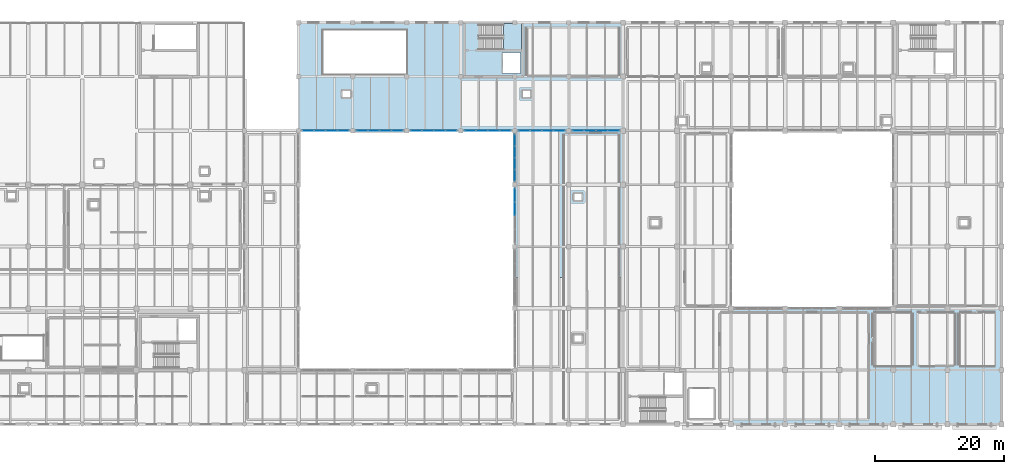
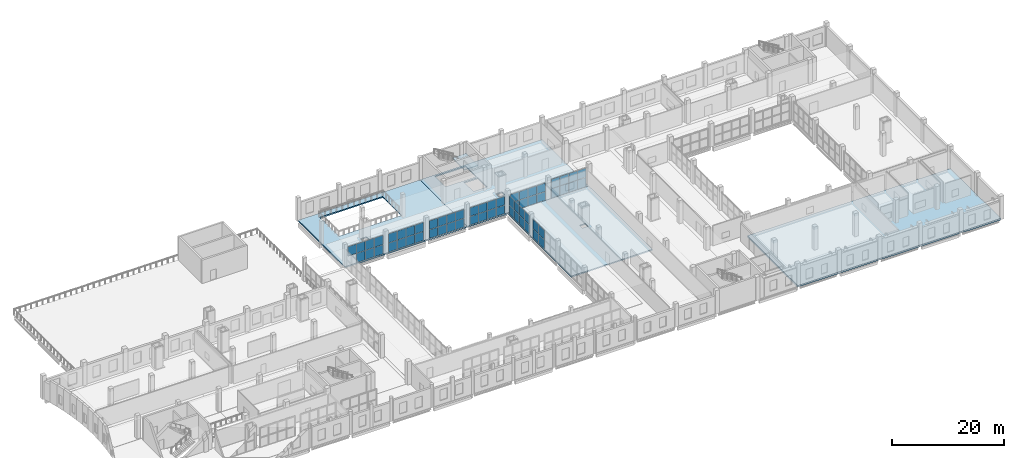
# One storey, part 51 of 73: 59 plates, 5 slabs, 9 elements without a shape of their own.
"""IFC4 building model written with IfcOpenShell, lengths in metres."""

from ifc_helpers import new_model, si_unit, direction, frame, origin, origin_2d, place, context, subcontext, project, spatial, polyline, rectangle, outline, extrude, material, layer, layer_set, type_object, element, aggregate, save


model = new_model("IFC4")

# Units and contexts
model_context = context("Model", 3, precision=1e-05, world=origin(), true_north=direction((0.0, 1.0)))
body_context = subcontext(model_context, "Body", "Model", "MODEL_VIEW")
ifc_project = project(units=[si_unit("LENGTHUNIT", "METRE"), si_unit("AREAUNIT", "SQUARE_METRE"), si_unit("VOLUMEUNIT", "CUBIC_METRE"), si_unit("PLANEANGLEUNIT", "RADIAN"), si_unit("MASSUNIT", "GRAM", prefix="KILO")], contexts=[model_context])

# Site, building, storey
site_placement = place(None, origin())
site = spatial("IfcSite", under=ifc_project, at=site_placement, CompositionType="ELEMENT")
building_placement = place(site_placement, origin())
building = spatial("IfcBuilding", under=site, at=building_placement, Name="Zulmaris Art Gallery", CompositionType="ELEMENT")
storey_placement = place(building_placement, frame((0.0, 0.0, 10.5)))
storey = spatial("IfcBuildingStorey", under=building, at=storey_placement, Name="L02", CompositionType="ELEMENT", Elevation=10.5)

# Curtain wall, plates
ifc_material_1 = material(Name="Unitised Low-E Gallery Curtain Wall", Category="aluminium")
ifc_layer_1 = layer(ifc_material_1, 0.179931640625)
ifc_layer_set_1 = layer_set([ifc_layer_1], Name="Unitised Low-E Gallery Curtain Wall")
curtain_wall_type = type_object("IfcCurtainWallType", Name="CW-CW01", PredefinedType="NOTDEFINED", material=ifc_layer_set_1)
curtain_wall_1_placement = place(storey_placement, origin())
curtain_wall_1 = element("IfcCurtainWall", 1, at=curtain_wall_1_placement, inside=storey, type_object=curtain_wall_type, Name="L02 curtain wall 104", PredefinedType="NOTDEFINED")
ifc_material_2 = material(Name="Triple Solar-Control Laminated Glass", Category="glass")
ifc_layer_2 = layer(ifc_material_2, 0.035888671875)
ifc_layer_set_2 = layer_set([ifc_layer_2], Name="Triple Solar-Control Laminated Glass")
plate_type = type_object("IfcPlateType", Name="CWPAN-GLZ", PredefinedType="CURTAIN_PANEL", material=ifc_layer_set_2)
plate_1_placement = place(storey_placement, frame((92.673828125, 58.800048828125, 2.142578125), z_axis=(0.0, 0.0, 1.0), x_axis=(1.0, 0.0, 0.0)))
plate_1 = element("IfcPlate", 2, at=plate_1_placement, type_object=plate_type, Name="CW01 panel 1.2", PredefinedType="CURTAIN_PANEL", context=body_context, shape_type="SweptSolid", body=[
    extrude(rectangle(XDim=1.717529296875, YDim=0.031982421875, at=origin_2d()), origin(), (0.0, 0.0, 1.0), 1.992431640625),
])
plate_2_placement = place(storey_placement, frame((94.485107421875, 58.800048828125, 0.0751953125), z_axis=(0.0, 0.0, 1.0), x_axis=(1.0, 0.0, 0.0)))
plate_2 = element("IfcPlate", 3, at=plate_2_placement, type_object=plate_type, Name="CW01 panel 2.1", PredefinedType="CURTAIN_PANEL", context=body_context, shape_type="SweptSolid", body=[
    extrude(rectangle(XDim=1.7548828125, YDim=0.031982421875, at=origin_2d()), origin(), (0.0, 0.0, 1.0), 1.992431640625),
])
plate_3_placement = place(storey_placement, frame((94.485107421875, 58.800048828125, 2.142578125), z_axis=(0.0, 0.0, 1.0), x_axis=(1.0, 0.0, 0.0)))
plate_3 = element("IfcPlate", 4, at=plate_3_placement, type_object=plate_type, Name="CW01 panel 2.2", PredefinedType="CURTAIN_PANEL", context=body_context, shape_type="SweptSolid", body=[
    extrude(rectangle(XDim=1.7548828125, YDim=0.031982421875, at=origin_2d()), origin(), (0.0, 0.0, 1.0), 1.992431640625),
])
plate_4_placement = place(storey_placement, frame((96.31494140625, 58.800048828125, 0.0751953125), z_axis=(0.0, 0.0, 1.0), x_axis=(1.0, 0.0, 0.0)))
plate_4 = element("IfcPlate", 5, at=plate_4_placement, type_object=plate_type, Name="CW01 panel 3.1", PredefinedType="CURTAIN_PANEL", context=body_context, shape_type="SweptSolid", body=[
    extrude(rectangle(XDim=1.7548828125, YDim=0.031982421875, at=origin_2d()), origin(), (0.0, 0.0, 1.0), 1.992431640625),
])
plate_5_placement = place(storey_placement, frame((96.31494140625, 58.800048828125, 2.142578125), z_axis=(0.0, 0.0, 1.0), x_axis=(1.0, 0.0, 0.0)))
plate_5 = element("IfcPlate", 6, at=plate_5_placement, type_object=plate_type, Name="CW01 panel 3.2", PredefinedType="CURTAIN_PANEL", context=body_context, shape_type="SweptSolid", body=[
    extrude(rectangle(XDim=1.7548828125, YDim=0.031982421875, at=origin_2d()), origin(), (0.0, 0.0, 1.0), 1.992431640625),
])
plate_6_placement = place(storey_placement, frame((98.126220703125, 58.800048828125, 0.0751953125), z_axis=(0.0, 0.0, 1.0), x_axis=(1.0, 0.0, 0.0)))
plate_6 = element("IfcPlate", 7, at=plate_6_placement, type_object=plate_type, Name="CW01 panel 4.1", PredefinedType="CURTAIN_PANEL", context=body_context, shape_type="SweptSolid", body=[
    extrude(rectangle(XDim=1.717529296875, YDim=0.031982421875, at=origin_2d()), origin(), (0.0, 0.0, 1.0), 1.992431640625),
])
plate_7_placement = place(storey_placement, frame((98.126220703125, 58.800048828125, 2.142578125), z_axis=(0.0, 0.0, 1.0), x_axis=(1.0, 0.0, 0.0)))
plate_7 = element("IfcPlate", 8, at=plate_7_placement, type_object=plate_type, Name="CW01 panel 4.2", PredefinedType="CURTAIN_PANEL", context=body_context, shape_type="SweptSolid", body=[
    extrude(rectangle(XDim=1.717529296875, YDim=0.031982421875, at=origin_2d()), origin(), (0.0, 0.0, 1.0), 1.992431640625),
])
aggregate(curtain_wall_1, [plate_1, plate_2, plate_3, plate_4, plate_5, plate_6, plate_7])

curtain_wall_2_placement = place(storey_placement, origin())
curtain_wall_2 = element("IfcCurtainWall", 9, at=curtain_wall_2_placement, inside=storey, type_object=curtain_wall_type, Name="L02 curtain wall 105", PredefinedType="NOTDEFINED")
plate_8_placement = place(storey_placement, frame((101.07373046875, 58.800048828125, 0.074951171875), z_axis=(0.0, 0.0, 1.0), x_axis=(1.0, 0.0, 0.0)))
plate_8 = element("IfcPlate", 10, at=plate_8_placement, type_object=plate_type, Name="CW01 panel 1.1", PredefinedType="CURTAIN_PANEL", context=body_context, shape_type="SweptSolid", body=[
    extrude(rectangle(XDim=1.717529296875, YDim=0.031982421875, at=origin_2d()), origin(), (0.0, 0.0, 1.0), 1.9375),
])
plate_9_placement = place(storey_placement, frame((101.07373046875, 58.800048828125, 2.08740234375), z_axis=(0.0, 0.0, 1.0), x_axis=(1.0, 0.0, 0.0)))
plate_9 = element("IfcPlate", 11, at=plate_9_placement, type_object=plate_type, Name="CW01 panel 1.2", PredefinedType="CURTAIN_PANEL", context=body_context, shape_type="SweptSolid", body=[
    extrude(rectangle(XDim=1.717529296875, YDim=0.031982421875, at=origin_2d()), origin(), (0.0, 0.0, 1.0), 1.9375),
])
plate_10_placement = place(storey_placement, frame((102.885009765625, 58.800048828125, 0.074951171875), z_axis=(0.0, 0.0, 1.0), x_axis=(1.0, 0.0, 0.0)))
plate_10 = element("IfcPlate", 12, at=plate_10_placement, type_object=plate_type, Name="CW01 panel 2.1", PredefinedType="CURTAIN_PANEL", context=body_context, shape_type="SweptSolid", body=[
    extrude(rectangle(XDim=1.7548828125, YDim=0.031982421875, at=origin_2d()), origin(), (0.0, 0.0, 1.0), 1.9375),
])
plate_11_placement = place(storey_placement, frame((102.885009765625, 58.800048828125, 2.08740234375), z_axis=(0.0, 0.0, 1.0), x_axis=(1.0, 0.0, 0.0)))
plate_11 = element("IfcPlate", 13, at=plate_11_placement, type_object=plate_type, Name="CW01 panel 2.2", PredefinedType="CURTAIN_PANEL", context=body_context, shape_type="SweptSolid", body=[
    extrude(rectangle(XDim=1.7548828125, YDim=0.031982421875, at=origin_2d()), origin(), (0.0, 0.0, 1.0), 1.9375),
])
plate_12_placement = place(storey_placement, frame((104.715087890625, 58.800048828125, 0.074951171875), z_axis=(0.0, 0.0, 1.0), x_axis=(1.0, 0.0, 0.0)))
plate_12 = element("IfcPlate", 14, at=plate_12_placement, type_object=plate_type, Name="CW01 panel 3.1", PredefinedType="CURTAIN_PANEL", context=body_context, shape_type="SweptSolid", body=[
    extrude(rectangle(XDim=1.7548828125, YDim=0.031982421875, at=origin_2d()), origin(), (0.0, 0.0, 1.0), 1.9375),
])
plate_13_placement = place(storey_placement, frame((104.715087890625, 58.800048828125, 2.08740234375), z_axis=(0.0, 0.0, 1.0), x_axis=(1.0, 0.0, 0.0)))
plate_13 = element("IfcPlate", 15, at=plate_13_placement, type_object=plate_type, Name="CW01 panel 3.2", PredefinedType="CURTAIN_PANEL", context=body_context, shape_type="SweptSolid", body=[
    extrude(rectangle(XDim=1.7548828125, YDim=0.031982421875, at=origin_2d()), origin(), (0.0, 0.0, 1.0), 1.9375),
])
plate_14_placement = place(storey_placement, frame((106.5263671875, 58.800048828125, 0.074951171875), z_axis=(0.0, 0.0, 1.0), x_axis=(1.0, 0.0, 0.0)))
plate_14 = element("IfcPlate", 16, at=plate_14_placement, type_object=plate_type, Name="CW01 panel 4.1", PredefinedType="CURTAIN_PANEL", context=body_context, shape_type="SweptSolid", body=[
    extrude(rectangle(XDim=1.717529296875, YDim=0.031982421875, at=origin_2d()), origin(), (0.0, 0.0, 1.0), 1.9375),
])
plate_15_placement = place(storey_placement, frame((106.5263671875, 58.800048828125, 2.08740234375), z_axis=(0.0, 0.0, 1.0), x_axis=(1.0, 0.0, 0.0)))
plate_15 = element("IfcPlate", 17, at=plate_15_placement, type_object=plate_type, Name="CW01 panel 4.2", PredefinedType="CURTAIN_PANEL", context=body_context, shape_type="SweptSolid", body=[
    extrude(rectangle(XDim=1.717529296875, YDim=0.031982421875, at=origin_2d()), origin(), (0.0, 0.0, 1.0), 1.9375),
])
aggregate(curtain_wall_2, [plate_8, plate_9, plate_10, plate_11, plate_12, plate_13, plate_14, plate_15])

curtain_wall_3_placement = place(storey_placement, origin())
curtain_wall_3 = element("IfcCurtainWall", 18, at=curtain_wall_3_placement, inside=storey, type_object=curtain_wall_type, Name="L02 curtain wall 106", PredefinedType="NOTDEFINED")
plate_16_placement = place(storey_placement, frame((109.4736328125, 58.800048828125, 0.0751953125), z_axis=(0.0, 0.0, 1.0), x_axis=(1.0, 0.0, 0.0)))
plate_16 = element("IfcPlate", 19, at=plate_16_placement, type_object=plate_type, Name="CW01 panel 1.1", PredefinedType="CURTAIN_PANEL", context=body_context, shape_type="SweptSolid", body=[
    extrude(rectangle(XDim=1.717529296875, YDim=0.031982421875, at=origin_2d()), origin(), (0.0, 0.0, 1.0), 1.887451171875),
])
plate_17_placement = place(storey_placement, frame((109.4736328125, 58.800048828125, 2.03759765625), z_axis=(0.0, 0.0, 1.0), x_axis=(1.0, 0.0, 0.0)))
plate_17 = element("IfcPlate", 20, at=plate_17_placement, type_object=plate_type, Name="CW01 panel 1.2", PredefinedType="CURTAIN_PANEL", context=body_context, shape_type="SweptSolid", body=[
    extrude(rectangle(XDim=1.717529296875, YDim=0.031982421875, at=origin_2d()), origin(), (0.0, 0.0, 1.0), 1.887451171875),
])
plate_18_placement = place(storey_placement, frame((111.284912109375, 58.800048828125, 0.0751953125), z_axis=(0.0, 0.0, 1.0), x_axis=(1.0, 0.0, 0.0)))
plate_18 = element("IfcPlate", 21, at=plate_18_placement, type_object=plate_type, Name="CW01 panel 2.1", PredefinedType="CURTAIN_PANEL", context=body_context, shape_type="SweptSolid", body=[
    extrude(rectangle(XDim=1.7548828125, YDim=0.031982421875, at=origin_2d()), origin(), (0.0, 0.0, 1.0), 1.887451171875),
])
plate_19_placement = place(storey_placement, frame((111.284912109375, 58.800048828125, 2.03759765625), z_axis=(0.0, 0.0, 1.0), x_axis=(1.0, 0.0, 0.0)))
plate_19 = element("IfcPlate", 22, at=plate_19_placement, type_object=plate_type, Name="CW01 panel 2.2", PredefinedType="CURTAIN_PANEL", context=body_context, shape_type="SweptSolid", body=[
    extrude(rectangle(XDim=1.7548828125, YDim=0.031982421875, at=origin_2d()), origin(), (0.0, 0.0, 1.0), 1.887451171875),
])
plate_20_placement = place(storey_placement, frame((113.114990234375, 58.800048828125, 0.0751953125), z_axis=(0.0, 0.0, 1.0), x_axis=(1.0, 0.0, 0.0)))
plate_20 = element("IfcPlate", 23, at=plate_20_placement, type_object=plate_type, Name="CW01 panel 3.1", PredefinedType="CURTAIN_PANEL", context=body_context, shape_type="SweptSolid", body=[
    extrude(rectangle(XDim=1.7548828125, YDim=0.031982421875, at=origin_2d()), origin(), (0.0, 0.0, 1.0), 1.887451171875),
])
plate_21_placement = place(storey_placement, frame((113.114990234375, 58.800048828125, 2.03759765625), z_axis=(0.0, 0.0, 1.0), x_axis=(1.0, 0.0, 0.0)))
plate_21 = element("IfcPlate", 24, at=plate_21_placement, type_object=plate_type, Name="CW01 panel 3.2", PredefinedType="CURTAIN_PANEL", context=body_context, shape_type="SweptSolid", body=[
    extrude(rectangle(XDim=1.7548828125, YDim=0.031982421875, at=origin_2d()), origin(), (0.0, 0.0, 1.0), 1.887451171875),
])
plate_22_placement = place(storey_placement, frame((114.92626953125, 58.800048828125, 0.0751953125), z_axis=(0.0, 0.0, 1.0), x_axis=(1.0, 0.0, 0.0)))
plate_22 = element("IfcPlate", 25, at=plate_22_placement, type_object=plate_type, Name="CW01 panel 4.1", PredefinedType="CURTAIN_PANEL", context=body_context, shape_type="SweptSolid", body=[
    extrude(rectangle(XDim=1.717529296875, YDim=0.031982421875, at=origin_2d()), origin(), (0.0, 0.0, 1.0), 1.887451171875),
])
plate_23_placement = place(storey_placement, frame((114.92626953125, 58.800048828125, 2.03759765625), z_axis=(0.0, 0.0, 1.0), x_axis=(1.0, 0.0, 0.0)))
plate_23 = element("IfcPlate", 26, at=plate_23_placement, type_object=plate_type, Name="CW01 panel 4.2", PredefinedType="CURTAIN_PANEL", context=body_context, shape_type="SweptSolid", body=[
    extrude(rectangle(XDim=1.717529296875, YDim=0.031982421875, at=origin_2d()), origin(), (0.0, 0.0, 1.0), 1.887451171875),
])
aggregate(curtain_wall_3, [plate_16, plate_17, plate_18, plate_19, plate_20, plate_21, plate_22, plate_23])

curtain_wall_4_placement = place(storey_placement, origin())
curtain_wall_4 = element("IfcCurtainWall", 27, at=curtain_wall_4_placement, inside=storey, type_object=curtain_wall_type, Name="L02 curtain wall 107", PredefinedType="NOTDEFINED")
plate_24_placement = place(storey_placement, frame((117.873779296875, 58.800048828125, 0.074951171875), z_axis=(0.0, 0.0, 1.0), x_axis=(1.0, 0.0, 0.0)))
plate_24 = element("IfcPlate", 28, at=plate_24_placement, type_object=plate_type, Name="CW01 panel 1.1", PredefinedType="CURTAIN_PANEL", context=body_context, shape_type="SweptSolid", body=[
    extrude(rectangle(XDim=1.717529296875, YDim=0.031982421875, at=origin_2d()), origin(), (0.0, 0.0, 1.0), 1.83740234375),
])
plate_25_placement = place(storey_placement, frame((117.873779296875, 58.800048828125, 1.987548828125), z_axis=(0.0, 0.0, 1.0), x_axis=(1.0, 0.0, 0.0)))
plate_25 = element("IfcPlate", 29, at=plate_25_placement, type_object=plate_type, Name="CW01 panel 1.2", PredefinedType="CURTAIN_PANEL", context=body_context, shape_type="SweptSolid", body=[
    extrude(rectangle(XDim=1.717529296875, YDim=0.031982421875, at=origin_2d()), origin(), (0.0, 0.0, 1.0), 1.83740234375),
])
plate_26_placement = place(storey_placement, frame((119.68505859375, 58.800048828125, 0.074951171875), z_axis=(0.0, 0.0, 1.0), x_axis=(1.0, 0.0, 0.0)))
plate_26 = element("IfcPlate", 30, at=plate_26_placement, type_object=plate_type, Name="CW01 panel 2.1", PredefinedType="CURTAIN_PANEL", context=body_context, shape_type="SweptSolid", body=[
    extrude(rectangle(XDim=1.7548828125, YDim=0.031982421875, at=origin_2d()), origin(), (0.0, 0.0, 1.0), 1.83740234375),
])
plate_27_placement = place(storey_placement, frame((119.68505859375, 58.800048828125, 1.987548828125), z_axis=(0.0, 0.0, 1.0), x_axis=(1.0, 0.0, 0.0)))
plate_27 = element("IfcPlate", 31, at=plate_27_placement, type_object=plate_type, Name="CW01 panel 2.2", PredefinedType="CURTAIN_PANEL", context=body_context, shape_type="SweptSolid", body=[
    extrude(rectangle(XDim=1.7548828125, YDim=0.031982421875, at=origin_2d()), origin(), (0.0, 0.0, 1.0), 1.83740234375),
])
plate_28_placement = place(storey_placement, frame((121.514892578125, 58.800048828125, 0.074951171875), z_axis=(0.0, 0.0, 1.0), x_axis=(1.0, 0.0, 0.0)))
plate_28 = element("IfcPlate", 32, at=plate_28_placement, type_object=plate_type, Name="CW01 panel 3.1", PredefinedType="CURTAIN_PANEL", context=body_context, shape_type="SweptSolid", body=[
    extrude(rectangle(XDim=1.7548828125, YDim=0.031982421875, at=origin_2d()), origin(), (0.0, 0.0, 1.0), 1.83740234375),
])
plate_29_placement = place(storey_placement, frame((121.514892578125, 58.800048828125, 1.987548828125), z_axis=(0.0, 0.0, 1.0), x_axis=(1.0, 0.0, 0.0)))
plate_29 = element("IfcPlate", 33, at=plate_29_placement, type_object=plate_type, Name="CW01 panel 3.2", PredefinedType="CURTAIN_PANEL", context=body_context, shape_type="SweptSolid", body=[
    extrude(rectangle(XDim=1.7548828125, YDim=0.031982421875, at=origin_2d()), origin(), (0.0, 0.0, 1.0), 1.83740234375),
])
plate_30_placement = place(storey_placement, frame((123.326171875, 58.800048828125, 0.074951171875), z_axis=(0.0, 0.0, 1.0), x_axis=(1.0, 0.0, 0.0)))
plate_30 = element("IfcPlate", 34, at=plate_30_placement, type_object=plate_type, Name="CW01 panel 4.1", PredefinedType="CURTAIN_PANEL", context=body_context, shape_type="SweptSolid", body=[
    extrude(rectangle(XDim=1.717529296875, YDim=0.031982421875, at=origin_2d()), origin(), (0.0, 0.0, 1.0), 1.83740234375),
])
plate_31_placement = place(storey_placement, frame((123.326171875, 58.800048828125, 1.987548828125), z_axis=(0.0, 0.0, 1.0), x_axis=(1.0, 0.0, 0.0)))
plate_31 = element("IfcPlate", 35, at=plate_31_placement, type_object=plate_type, Name="CW01 panel 4.2", PredefinedType="CURTAIN_PANEL", context=body_context, shape_type="SweptSolid", body=[
    extrude(rectangle(XDim=1.717529296875, YDim=0.031982421875, at=origin_2d()), origin(), (0.0, 0.0, 1.0), 1.83740234375),
])
aggregate(curtain_wall_4, [plate_24, plate_25, plate_26, plate_27, plate_28, plate_29, plate_30, plate_31])

curtain_wall_5_placement = place(storey_placement, origin())
curtain_wall_5 = element("IfcCurtainWall", 36, at=curtain_wall_5_placement, inside=storey, type_object=curtain_wall_type, Name="L02 curtain wall 108", PredefinedType="NOTDEFINED")
plate_32_placement = place(storey_placement, frame((126.273681640625, 58.800048828125, 0.074951171875), z_axis=(0.0, 0.0, 1.0), x_axis=(1.0, 0.0, 0.0)))
plate_32 = element("IfcPlate", 37, at=plate_32_placement, type_object=plate_type, Name="CW01 panel 1.1", PredefinedType="CURTAIN_PANEL", context=body_context, shape_type="SweptSolid", body=[
    extrude(rectangle(XDim=1.717529296875, YDim=0.031982421875, at=origin_2d()), origin(), (0.0, 0.0, 1.0), 1.83740234375),
])
plate_33_placement = place(storey_placement, frame((126.273681640625, 58.800048828125, 1.987548828125), z_axis=(0.0, 0.0, 1.0), x_axis=(1.0, 0.0, 0.0)))
plate_33 = element("IfcPlate", 38, at=plate_33_placement, type_object=plate_type, Name="CW01 panel 1.2", PredefinedType="CURTAIN_PANEL", context=body_context, shape_type="SweptSolid", body=[
    extrude(rectangle(XDim=1.717529296875, YDim=0.031982421875, at=origin_2d()), origin(), (0.0, 0.0, 1.0), 1.83740234375),
])
plate_34_placement = place(storey_placement, frame((128.0849609375, 58.800048828125, 0.074951171875), z_axis=(0.0, 0.0, 1.0), x_axis=(1.0, 0.0, 0.0)))
plate_34 = element("IfcPlate", 39, at=plate_34_placement, type_object=plate_type, Name="CW01 panel 2.1", PredefinedType="CURTAIN_PANEL", context=body_context, shape_type="SweptSolid", body=[
    extrude(rectangle(XDim=1.7548828125, YDim=0.031982421875, at=origin_2d()), origin(), (0.0, 0.0, 1.0), 1.83740234375),
])
plate_35_placement = place(storey_placement, frame((128.0849609375, 58.800048828125, 1.987548828125), z_axis=(0.0, 0.0, 1.0), x_axis=(1.0, 0.0, 0.0)))
plate_35 = element("IfcPlate", 40, at=plate_35_placement, type_object=plate_type, Name="CW01 panel 2.2", PredefinedType="CURTAIN_PANEL", context=body_context, shape_type="SweptSolid", body=[
    extrude(rectangle(XDim=1.7548828125, YDim=0.031982421875, at=origin_2d()), origin(), (0.0, 0.0, 1.0), 1.83740234375),
])
plate_36_placement = place(storey_placement, frame((129.9150390625, 58.800048828125, 0.074951171875), z_axis=(0.0, 0.0, 1.0), x_axis=(1.0, 0.0, 0.0)))
plate_36 = element("IfcPlate", 41, at=plate_36_placement, type_object=plate_type, Name="CW01 panel 3.1", PredefinedType="CURTAIN_PANEL", context=body_context, shape_type="SweptSolid", body=[
    extrude(rectangle(XDim=1.7548828125, YDim=0.031982421875, at=origin_2d()), origin(), (0.0, 0.0, 1.0), 1.83740234375),
])
plate_37_placement = place(storey_placement, frame((129.9150390625, 58.800048828125, 1.987548828125), z_axis=(0.0, 0.0, 1.0), x_axis=(1.0, 0.0, 0.0)))
plate_37 = element("IfcPlate", 42, at=plate_37_placement, type_object=plate_type, Name="CW01 panel 3.2", PredefinedType="CURTAIN_PANEL", context=body_context, shape_type="SweptSolid", body=[
    extrude(rectangle(XDim=1.7548828125, YDim=0.031982421875, at=origin_2d()), origin(), (0.0, 0.0, 1.0), 1.83740234375),
])
plate_38_placement = place(storey_placement, frame((131.726318359375, 58.800048828125, 0.074951171875), z_axis=(0.0, 0.0, 1.0), x_axis=(1.0, 0.0, 0.0)))
plate_38 = element("IfcPlate", 43, at=plate_38_placement, type_object=plate_type, Name="CW01 panel 4.1", PredefinedType="CURTAIN_PANEL", context=body_context, shape_type="SweptSolid", body=[
    extrude(rectangle(XDim=1.717529296875, YDim=0.031982421875, at=origin_2d()), origin(), (0.0, 0.0, 1.0), 1.83740234375),
])
plate_39_placement = place(storey_placement, frame((131.726318359375, 58.800048828125, 1.987548828125), z_axis=(0.0, 0.0, 1.0), x_axis=(1.0, 0.0, 0.0)))
plate_39 = element("IfcPlate", 44, at=plate_39_placement, type_object=plate_type, Name="CW01 panel 4.2", PredefinedType="CURTAIN_PANEL", context=body_context, shape_type="SweptSolid", body=[
    extrude(rectangle(XDim=1.717529296875, YDim=0.031982421875, at=origin_2d()), origin(), (0.0, 0.0, 1.0), 1.83740234375),
])
aggregate(curtain_wall_5, [plate_32, plate_33, plate_34, plate_35, plate_36, plate_37, plate_38, plate_39])

curtain_wall_6_placement = place(storey_placement, origin())
curtain_wall_6 = element("IfcCurtainWall", 45, at=curtain_wall_6_placement, inside=storey, type_object=curtain_wall_type, Name="L02 curtain wall 109", PredefinedType="NOTDEFINED")
plate_40_placement = place(storey_placement, frame((134.673828125, 58.800048828125, 0.074951171875), z_axis=(0.0, 0.0, 1.0), x_axis=(1.0, 0.0, 0.0)))
plate_40 = element("IfcPlate", 46, at=plate_40_placement, type_object=plate_type, Name="CW01 panel 1.1", PredefinedType="CURTAIN_PANEL", context=body_context, shape_type="SweptSolid", body=[
    extrude(rectangle(XDim=1.717529296875, YDim=0.031982421875, at=origin_2d()), origin(), (0.0, 0.0, 1.0), 2.00244140625),
])
plate_41_placement = place(storey_placement, frame((134.673828125, 58.800048828125, 2.152587890625), z_axis=(0.0, 0.0, 1.0), x_axis=(1.0, 0.0, 0.0)))
plate_41 = element("IfcPlate", 47, at=plate_41_placement, type_object=plate_type, Name="CW01 panel 1.2", PredefinedType="CURTAIN_PANEL", context=body_context, shape_type="SweptSolid", body=[
    extrude(rectangle(XDim=1.717529296875, YDim=0.031982421875, at=origin_2d()), origin(), (0.0, 0.0, 1.0), 2.00244140625),
])
plate_42_placement = place(storey_placement, frame((136.485107421875, 58.800048828125, 0.074951171875), z_axis=(0.0, 0.0, 1.0), x_axis=(1.0, 0.0, 0.0)))
plate_42 = element("IfcPlate", 48, at=plate_42_placement, type_object=plate_type, Name="CW01 panel 2.1", PredefinedType="CURTAIN_PANEL", context=body_context, shape_type="SweptSolid", body=[
    extrude(rectangle(XDim=1.7548828125, YDim=0.031982421875, at=origin_2d()), origin(), (0.0, 0.0, 1.0), 2.00244140625),
])
plate_43_placement = place(storey_placement, frame((136.485107421875, 58.800048828125, 2.152587890625), z_axis=(0.0, 0.0, 1.0), x_axis=(1.0, 0.0, 0.0)))
plate_43 = element("IfcPlate", 49, at=plate_43_placement, type_object=plate_type, Name="CW01 panel 2.2", PredefinedType="CURTAIN_PANEL", context=body_context, shape_type="SweptSolid", body=[
    extrude(rectangle(XDim=1.7548828125, YDim=0.031982421875, at=origin_2d()), origin(), (0.0, 0.0, 1.0), 2.00244140625),
])
plate_44_placement = place(storey_placement, frame((138.31494140625, 58.800048828125, 0.074951171875), z_axis=(0.0, 0.0, 1.0), x_axis=(1.0, 0.0, 0.0)))
plate_44 = element("IfcPlate", 50, at=plate_44_placement, type_object=plate_type, Name="CW01 panel 3.1", PredefinedType="CURTAIN_PANEL", context=body_context, shape_type="SweptSolid", body=[
    extrude(rectangle(XDim=1.7548828125, YDim=0.031982421875, at=origin_2d()), origin(), (0.0, 0.0, 1.0), 2.00244140625),
])
plate_45_placement = place(storey_placement, frame((138.31494140625, 58.800048828125, 2.152587890625), z_axis=(0.0, 0.0, 1.0), x_axis=(1.0, 0.0, 0.0)))
plate_45 = element("IfcPlate", 51, at=plate_45_placement, type_object=plate_type, Name="CW01 panel 3.2", PredefinedType="CURTAIN_PANEL", context=body_context, shape_type="SweptSolid", body=[
    extrude(rectangle(XDim=1.7548828125, YDim=0.031982421875, at=origin_2d()), origin(), (0.0, 0.0, 1.0), 2.00244140625),
])
plate_46_placement = place(storey_placement, frame((140.126220703125, 58.800048828125, 0.074951171875), z_axis=(0.0, 0.0, 1.0), x_axis=(1.0, 0.0, 0.0)))
plate_46 = element("IfcPlate", 52, at=plate_46_placement, type_object=plate_type, Name="CW01 panel 4.1", PredefinedType="CURTAIN_PANEL", context=body_context, shape_type="SweptSolid", body=[
    extrude(rectangle(XDim=1.717529296875, YDim=0.031982421875, at=origin_2d()), origin(), (0.0, 0.0, 1.0), 2.00244140625),
])
plate_47_placement = place(storey_placement, frame((140.126220703125, 58.800048828125, 2.152587890625), z_axis=(0.0, 0.0, 1.0), x_axis=(1.0, 0.0, 0.0)))
plate_47 = element("IfcPlate", 53, at=plate_47_placement, type_object=plate_type, Name="CW01 panel 4.2", PredefinedType="CURTAIN_PANEL", context=body_context, shape_type="SweptSolid", body=[
    extrude(rectangle(XDim=1.717529296875, YDim=0.031982421875, at=origin_2d()), origin(), (0.0, 0.0, 1.0), 2.00244140625),
])
aggregate(curtain_wall_6, [plate_40, plate_41, plate_42, plate_43, plate_44, plate_45, plate_46, plate_47])

curtain_wall_7_placement = place(storey_placement, origin())
curtain_wall_7 = element("IfcCurtainWall", 54, at=curtain_wall_7_placement, inside=storey, type_object=curtain_wall_type, Name="L02 curtain wall 112", PredefinedType="NOTDEFINED")
plate_48_placement = place(storey_placement, frame((124.800048828125, 46.6650390625, 0.074951171875), z_axis=(0.0, 0.0, 1.0), x_axis=(0.0, 1.0, 0.0)))
plate_48 = element("IfcPlate", 55, at=plate_48_placement, type_object=plate_type, Name="CW01 panel 3.1", PredefinedType="CURTAIN_PANEL", context=body_context, shape_type="SweptSolid", body=[
    extrude(rectangle(XDim=2.054931640625, YDim=0.031982421875, at=origin_2d()), origin(), (0.0, 0.0, 1.0), 2.00244140625),
])
plate_49_placement = place(storey_placement, frame((124.800048828125, 46.6650390625, 2.152587890625), z_axis=(0.0, 0.0, 1.0), x_axis=(0.0, 1.0, 0.0)))
plate_49 = element("IfcPlate", 56, at=plate_49_placement, type_object=plate_type, Name="CW01 panel 3.2", PredefinedType="CURTAIN_PANEL", context=body_context, shape_type="SweptSolid", body=[
    extrude(rectangle(XDim=2.054931640625, YDim=0.031982421875, at=origin_2d()), origin(), (0.0, 0.0, 1.0), 2.00244140625),
])
plate_50_placement = place(storey_placement, frame((124.800048828125, 48.7763671875, 0.074951171875), z_axis=(0.0, 0.0, 1.0), x_axis=(0.0, 1.0, 0.0)))
plate_50 = element("IfcPlate", 57, at=plate_50_placement, type_object=plate_type, Name="CW01 panel 4.1", PredefinedType="CURTAIN_PANEL", context=body_context, shape_type="SweptSolid", body=[
    extrude(rectangle(XDim=2.017578125, YDim=0.031982421875, at=origin_2d()), origin(), (0.0, 0.0, 1.0), 2.00244140625),
])
plate_51_placement = place(storey_placement, frame((124.800048828125, 48.7763671875, 2.152587890625), z_axis=(0.0, 0.0, 1.0), x_axis=(0.0, 1.0, 0.0)))
plate_51 = element("IfcPlate", 58, at=plate_51_placement, type_object=plate_type, Name="CW01 panel 4.2", PredefinedType="CURTAIN_PANEL", context=body_context, shape_type="SweptSolid", body=[
    extrude(rectangle(XDim=2.017578125, YDim=0.031982421875, at=origin_2d()), origin(), (0.0, 0.0, 1.0), 2.00244140625),
])
aggregate(curtain_wall_7, [plate_48, plate_49, plate_50, plate_51])

curtain_wall_8_placement = place(storey_placement, origin())
curtain_wall_8 = element("IfcCurtainWall", 59, at=curtain_wall_8_placement, inside=storey, type_object=curtain_wall_type, Name="L02 curtain wall 113", PredefinedType="NOTDEFINED")
plate_52_placement = place(storey_placement, frame((124.800048828125, 51.873779296875, 0.0751953125), z_axis=(0.0, 0.0, 1.0), x_axis=(0.0, 1.0, 0.0)))
plate_52 = element("IfcPlate", 60, at=plate_52_placement, type_object=plate_type, Name="CW01 panel 1.1", PredefinedType="CURTAIN_PANEL", context=body_context, shape_type="SweptSolid", body=[
    extrude(rectangle(XDim=1.717529296875, YDim=0.031982421875, at=origin_2d()), origin(), (0.0, 0.0, 1.0), 1.992431640625),
])
plate_53_placement = place(storey_placement, frame((124.800048828125, 51.873779296875, 2.142578125), z_axis=(0.0, 0.0, 1.0), x_axis=(0.0, 1.0, 0.0)))
plate_53 = element("IfcPlate", 61, at=plate_53_placement, type_object=plate_type, Name="CW01 panel 1.2", PredefinedType="CURTAIN_PANEL", context=body_context, shape_type="SweptSolid", body=[
    extrude(rectangle(XDim=1.717529296875, YDim=0.031982421875, at=origin_2d()), origin(), (0.0, 0.0, 1.0), 1.992431640625),
])
plate_54_placement = place(storey_placement, frame((124.800048828125, 53.68505859375, 0.0751953125), z_axis=(0.0, 0.0, 1.0), x_axis=(0.0, 1.0, 0.0)))
plate_54 = element("IfcPlate", 62, at=plate_54_placement, type_object=plate_type, Name="CW01 panel 2.1", PredefinedType="CURTAIN_PANEL", context=body_context, shape_type="SweptSolid", body=[
    extrude(rectangle(XDim=1.7548828125, YDim=0.031982421875, at=origin_2d()), origin(), (0.0, 0.0, 1.0), 1.992431640625),
])
plate_55_placement = place(storey_placement, frame((124.800048828125, 53.68505859375, 2.142578125), z_axis=(0.0, 0.0, 1.0), x_axis=(0.0, 1.0, 0.0)))
plate_55 = element("IfcPlate", 63, at=plate_55_placement, type_object=plate_type, Name="CW01 panel 2.2", PredefinedType="CURTAIN_PANEL", context=body_context, shape_type="SweptSolid", body=[
    extrude(rectangle(XDim=1.7548828125, YDim=0.031982421875, at=origin_2d()), origin(), (0.0, 0.0, 1.0), 1.992431640625),
])
plate_56_placement = place(storey_placement, frame((124.800048828125, 55.514892578125, 0.0751953125), z_axis=(0.0, 0.0, 1.0), x_axis=(0.0, 1.0, 0.0)))
plate_56 = element("IfcPlate", 64, at=plate_56_placement, type_object=plate_type, Name="CW01 panel 3.1", PredefinedType="CURTAIN_PANEL", context=body_context, shape_type="SweptSolid", body=[
    extrude(rectangle(XDim=1.7548828125, YDim=0.031982421875, at=origin_2d()), origin(), (0.0, 0.0, 1.0), 1.992431640625),
])
plate_57_placement = place(storey_placement, frame((124.800048828125, 55.514892578125, 2.142578125), z_axis=(0.0, 0.0, 1.0), x_axis=(0.0, 1.0, 0.0)))
plate_57 = element("IfcPlate", 65, at=plate_57_placement, type_object=plate_type, Name="CW01 panel 3.2", PredefinedType="CURTAIN_PANEL", context=body_context, shape_type="SweptSolid", body=[
    extrude(rectangle(XDim=1.7548828125, YDim=0.031982421875, at=origin_2d()), origin(), (0.0, 0.0, 1.0), 1.992431640625),
])
plate_58_placement = place(storey_placement, frame((124.800048828125, 57.326171875, 0.0751953125), z_axis=(0.0, 0.0, 1.0), x_axis=(0.0, 1.0, 0.0)))
plate_58 = element("IfcPlate", 66, at=plate_58_placement, type_object=plate_type, Name="CW01 panel 4.1", PredefinedType="CURTAIN_PANEL", context=body_context, shape_type="SweptSolid", body=[
    extrude(rectangle(XDim=1.717529296875, YDim=0.031982421875, at=origin_2d()), origin(), (0.0, 0.0, 1.0), 1.992431640625),
])
plate_59_placement = place(storey_placement, frame((124.800048828125, 57.326171875, 2.142578125), z_axis=(0.0, 0.0, 1.0), x_axis=(0.0, 1.0, 0.0)))
plate_59 = element("IfcPlate", 67, at=plate_59_placement, type_object=plate_type, Name="CW01 panel 4.2", PredefinedType="CURTAIN_PANEL", context=body_context, shape_type="SweptSolid", body=[
    extrude(rectangle(XDim=1.717529296875, YDim=0.031982421875, at=origin_2d()), origin(), (0.0, 0.0, 1.0), 1.992431640625),
])
aggregate(curtain_wall_8, [plate_52, plate_53, plate_54, plate_55, plate_56, plate_57, plate_58, plate_59])

# Slabs
ifc_material_3 = material(Name="Concrete C40/50", Category="concrete")
ifc_layer_3 = layer(ifc_material_3, 0.35009765625)
ifc_layer_set_3 = layer_set([ifc_layer_3], Name="Concrete C40/50")
slab_type_1 = type_object("IfcSlabType", Name="SLAB-SL-FL05", PredefinedType="FLOOR", material=ifc_layer_set_3)
slab_1_placement = place(storey_placement, frame((0.0, 0.0, -0.35009765625)))
element("IfcSlab", 68, at=slab_1_placement, inside=storey, type_object=slab_type_1, Name="L02 V5-SE slab", PredefinedType="FLOOR", context=body_context, shape_type="SweptSolid", body=[
    extrude(outline(polyline([(158.39990234375, 13.199951171875), (158.39990234375, 31.199951171875), (183.60009765625, 31.199951171875), (200.39990234375, 31.199951171875), (200.39990234375, 13.199951171875), (158.39990234375, 13.199951171875)])), origin(), (0.0, 0.0, 1.0), 0.35009765625),
])
ifc_layer_4 = layer(ifc_material_3, 0.27001953125)
ifc_layer_set_4 = layer_set([ifc_layer_4], Name="Concrete C40/50")
slab_type_2 = type_object("IfcSlabType", Name="SLAB-SL-FL06", PredefinedType="FLOOR", material=ifc_layer_set_4)
slab_2_placement = place(storey_placement, frame((0.0, 0.0, -0.27001953125)))
element("IfcSlab", 69, at=slab_2_placement, inside=storey, type_object=slab_type_2, Name="L02 V4-NW slab", PredefinedType="FLOOR", context=body_context, shape_type="SweptSolid", body=[
    extrude(outline(polyline([(91.199951171875, 58.800048828125), (91.199951171875, 75.60009765625), (116.39990234375, 75.60009765625), (116.39990234375, 58.800048828125), (91.199951171875, 58.800048828125)]), holes=[polyline([(99.199951171875, 64.0), (99.199951171875, 65.0), (98.0, 65.0), (98.0, 64.0), (99.199951171875, 64.0)]), polyline([(108.0, 67.60009765625), (108.0, 74.39990234375), (95.0, 74.39990234375), (95.0, 67.60009765625), (108.0, 67.60009765625)])]), origin(), (0.0, 0.0, 1.0), 0.27001953125),
])
slab_3_placement = place(storey_placement, frame((0.0, 0.0, -0.27001953125)))
element("IfcSlab", 70, at=slab_3_placement, inside=storey, type_object=slab_type_2, Name="L02 V4-NE slab", PredefinedType="FLOOR", context=body_context, shape_type="SweptSolid", body=[
    extrude(outline(polyline([(116.39990234375, 58.800048828125), (116.39990234375, 75.60009765625), (141.60009765625, 75.60009765625), (141.60009765625, 58.800048828125), (116.39990234375, 58.800048828125)]), holes=[polyline([(127.199951171875, 64.0), (127.199951171875, 65.0), (126.0, 65.0), (126.0, 64.0), (127.199951171875, 64.0)]), polyline([(125.64990234375, 67.64990234375), (125.64990234375, 70.97998046875), (122.85009765625, 70.97998046875), (122.85009765625, 67.64990234375), (125.64990234375, 67.64990234375)]), polyline([(119.260009765625, 71.409912109375), (125.64990234375, 71.409912109375), (125.64990234375, 75.25), (119.260009765625, 75.25), (119.260009765625, 71.409912109375)])]), origin(), (0.0, 0.0, 1.0), 0.27001953125),
])
slab_4_placement = place(storey_placement, frame((0.0, 0.0, -0.27001953125)))
element("IfcSlab", 71, at=slab_4_placement, inside=storey, type_object=slab_type_2, Name="L02 V4-EN slab", PredefinedType="FLOOR", context=body_context, shape_type="SweptSolid", body=[
    extrude(outline(polyline([(124.800048828125, 36.0), (124.800048828125, 58.800048828125), (141.60009765625, 58.800048828125), (141.60009765625, 36.0), (124.800048828125, 36.0)]), holes=[polyline([(135.199951171875, 48.0), (135.199951171875, 49.0), (134.0, 49.0), (134.0, 48.0), (135.199951171875, 48.0)])]), origin(), (0.0, 0.0, 1.0), 0.27001953125),
])

# Stair, slab
stair_type = type_object("IfcStairType", Name="STAIR-CORE", PredefinedType="HALF_TURN_STAIR", material=ifc_material_3)
stair_placement = place(storey_placement, origin())
stair = element("IfcStair", 72, at=stair_placement, inside=storey, type_object=stair_type, Name="L02 Exit Stair ST5", PredefinedType="HALF_TURN_STAIR")
ifc_layer_5 = layer(ifc_material_3, 0.2099609375)
ifc_layer_set_5 = layer_set([ifc_layer_5], Name="Concrete C40/50")
slab_type_3 = type_object("IfcSlabType", Name="SLAB-STLND", PredefinedType="LANDING", material=ifc_layer_set_5)
slab_5_placement = place(storey_placement, frame((0.0, 0.0, 2.35009765625)))
slab_5 = element("IfcSlab", 73, at=slab_5_placement, type_object=slab_type_3, Name="ST5 landing 1", PredefinedType="LANDING", context=body_context, shape_type="SweptSolid", body=[
    extrude(outline(polyline([(123.02001953125, 71.18994140625), (125.85009765625, 71.18994140625), (125.85009765625, 75.469970703125), (123.02001953125, 75.469970703125), (123.02001953125, 71.18994140625)])), origin(), (0.0, 0.0, 1.0), 0.199951171875),
])
aggregate(stair, [slab_5])

save(model, "model.ifc")
